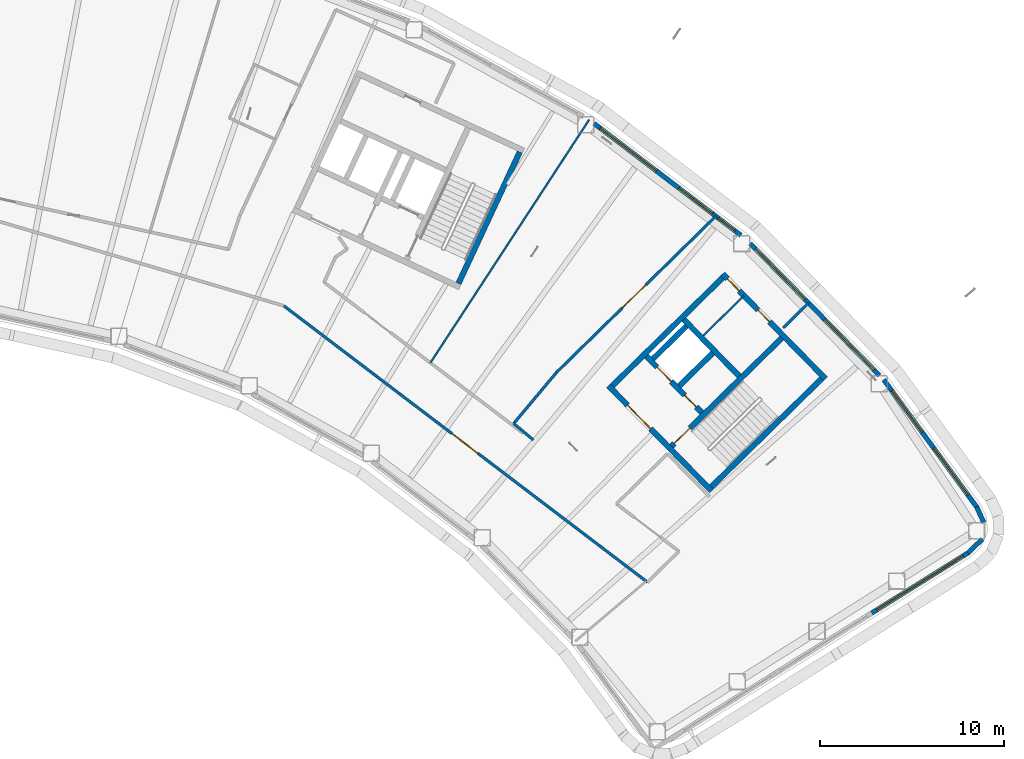
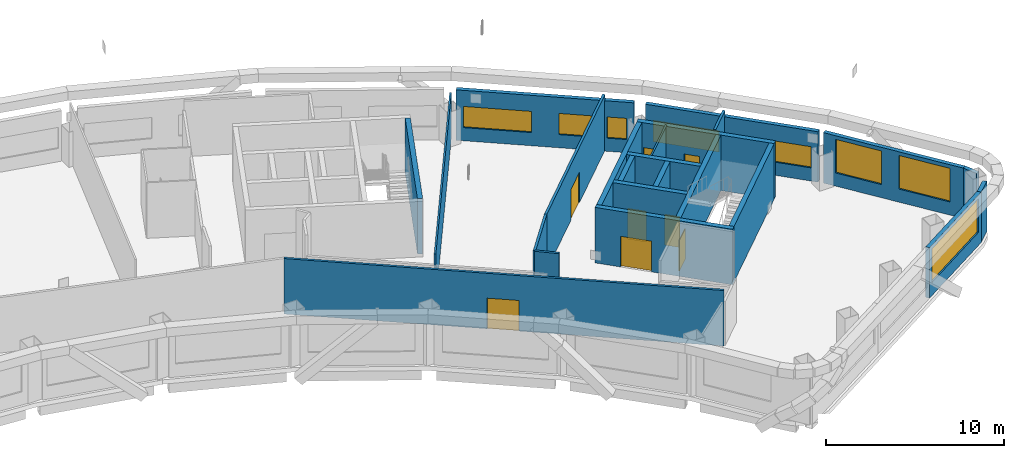
# One storey, part 9 of 20: 23 walls, 8 doors, 8 windows, 16 openings.
"""IFC4 building model written with IfcOpenShell, lengths in metres."""

from ifc_helpers import new_model, si_unit, direction, frame, frame_2d, origin, place, context, subcontext, project, spatial, rectangle, extrude, material, layer, layer_set, type_object, element, fill, save


model = new_model("IFC4")

# Units and contexts
model_context = context("Model", 3, precision=1e-05, world=origin(), true_north=direction((0.0, 1.0)))
body_context = subcontext(model_context, "Body", "Model", "MODEL_VIEW")
ifc_project = project(units=[si_unit("LENGTHUNIT", "METRE"), si_unit("AREAUNIT", "SQUARE_METRE"), si_unit("VOLUMEUNIT", "CUBIC_METRE"), si_unit("PLANEANGLEUNIT", "RADIAN"), si_unit("MASSUNIT", "GRAM", prefix="KILO")], contexts=[model_context])

# Site, building, storey
site_placement = place(None, origin())
site = spatial("IfcSite", under=ifc_project, at=site_placement, CompositionType="ELEMENT")
building_placement = place(site_placement, origin())
building = spatial("IfcBuilding", under=site, at=building_placement, Name="Tuul Gate Civic Tower", CompositionType="ELEMENT")
storey_placement = place(building_placement, frame((0.0, 0.0, 197.300048828125)))
storey = spatial("IfcBuildingStorey", under=building, at=storey_placement, Name="Level 45", CompositionType="ELEMENT", Elevation=197.300048828125)

# Wall, opening, door
ifc_material_1 = material(Name="Concrete C50/60", Category="concrete")
ifc_layer_1 = layer(ifc_material_1, 0.300048828125)
ifc_layer_set_1 = layer_set([ifc_layer_1], Name="Concrete C50/60")
wall_type_1 = type_object("IfcWallType", Name="Core wall C50/60", PredefinedType="SHEAR", material=ifc_layer_set_1)
wall_1_placement = place(storey_placement, frame((48.22509765625, -18.327880859375, 0.0), z_axis=(0.0, 0.0, 1.0), x_axis=(-0.700021979774, 0.714121297703, 0.0)))
wall_1 = element("IfcWall", 1, at=wall_1_placement, inside=storey, type_object=wall_type_1, Name="Core wall", PredefinedType="SHEAR", context=body_context, shape_type="SweptSolid", body=[
    extrude(rectangle(XDim=8.0, YDim=0.300048828125, at=frame_2d((4.0, 0.0))), origin(), (0.0, 0.0, 1.0), 3.800048828125),
])
opening_1_placement = place(wall_1_placement, frame((4.72509765625, 0.0, 0.0)))
opening_1 = element("IfcOpeningElement", 2, at=opening_1_placement, cuts=wall_1, Name="Opening LB-E1-LOBBY-1", PredefinedType="OPENING", context=body_context, shape_type="SweptSolid", body=[
    extrude(rectangle(XDim=1.800048828125, YDim=2.10009765625, at=frame_2d((0.89990234375, 1.050048828125))), frame((0.0, 0.16015625, 0.0), z_axis=(0.0, -1.0, 0.0), x_axis=(1.0, 0.0, 0.0)), (0.0, 0.0, 1.0), 0.320068359375),
])
ifc_material_2 = material(Name="Steel", Category="steel")
door_type_1 = type_object("IfcDoorType", Name="Lobby door", OperationType="DOUBLE_DOOR_SINGLE_SWING", PredefinedType="DOOR", material=ifc_material_2)
door_1_placement = place(opening_1_placement, frame((1.800048828125, 0.0, 0.0), z_axis=(0.0, 0.0, 1.0), x_axis=(-1.0, 0.0, 0.0)))
door_1 = element("IfcDoor", 3, at=door_1_placement, inside=storey, type_object=door_type_1, Name="Lobby door E1-LOBBY", OperationType="DOUBLE_DOOR_SINGLE_SWING", OverallHeight=2.10009765625, OverallWidth=1.800048828125, PredefinedType="DOOR", context=body_context, shape_type="SweptSolid", body=[
    extrude(rectangle(XDim=1.800048828125, YDim=2.10009765625, at=frame_2d((0.900146484375, 1.050048828125))), frame((0.0, 0.02490234375, 0.0), z_axis=(0.0, -1.0, 0.0), x_axis=(1.0, 0.0, 0.0)), (0.0, 0.0, 1.0), 0.050048828125),
])
fill(opening_1, door_1)

# Wall, openings, doors
wall_2_placement = place(storey_placement, frame((47.701904296875, -14.079833984375, 0.0), z_axis=(0.0, 0.0, 1.0), x_axis=(-0.700002721075, 0.714140175657, 0.0)))
wall_2 = element("IfcWall", 4, at=wall_2_placement, inside=storey, type_object=wall_type_1, Name="Core wall", PredefinedType="SHEAR", context=body_context, shape_type="SweptSolid", body=[
    extrude(rectangle(XDim=4.300048828125, YDim=0.300048828125, at=frame_2d((2.14990234375, 0.0))), origin(), (0.0, 0.0, 1.0), 3.800048828125),
])
opening_2_placement = place(wall_2_placement, frame((0.425048828125, 0.0, 0.0)))
opening_2 = element("IfcOpeningElement", 5, at=opening_2_placement, cuts=wall_2, Name="Opening FB-E1A1", PredefinedType="OPENING", context=body_context, shape_type="SweptSolid", body=[
    extrude(rectangle(XDim=0.89990234375, YDim=2.10009765625, at=frame_2d((0.449951171875, 1.050048828125))), frame((0.0, 0.16015625, 0.0), z_axis=(0.0, -1.0, 0.0), x_axis=(1.0, 0.0, 0.0)), (0.0, 0.0, 1.0), 0.320068359375),
])
opening_3_placement = place(wall_2_placement, frame((2.375, 0.0, 0.0)))
opening_3 = element("IfcOpeningElement", 6, at=opening_3_placement, cuts=wall_2, Name="Opening LD-M3", PredefinedType="OPENING", context=body_context, shape_type="SweptSolid", body=[
    extrude(rectangle(XDim=1.10009765625, YDim=2.10009765625, at=frame_2d((0.550048828125, 1.050048828125))), frame((0.0, 0.16015625, 0.0), z_axis=(0.0, -1.0, 0.0), x_axis=(1.0, 0.0, 0.0)), (0.0, 0.0, 1.0), 0.320068359375),
])
ifc_material_3 = material(Name="Stainless steel", Category="steel")
door_type_2 = type_object("IfcDoorType", Name="Landing door", OperationType="DOUBLE_DOOR_SLIDING", PredefinedType="DOOR", material=ifc_material_3)
door_2_placement = place(opening_3_placement, origin())
door_2 = element("IfcDoor", 7, at=door_2_placement, inside=storey, type_object=door_type_2, Name="Mid-rise lift M3 landing door", OperationType="DOUBLE_DOOR_SLIDING", OverallHeight=2.10009765625, OverallWidth=1.10009765625, PredefinedType="DOOR", context=body_context, shape_type="SweptSolid", body=[
    extrude(rectangle(XDim=1.10009765625, YDim=2.10009765625, at=frame_2d((0.550048828125, 1.050048828125))), frame((0.0, 0.02490234375, 0.0), z_axis=(0.0, -1.0, 0.0), x_axis=(1.0, 0.0, 0.0)), (0.0, 0.0, 1.0), 0.050048828125),
])
fill(opening_3, door_2)
ifc_material_4 = material(Name="Steel", Category="steel")
door_type_3 = type_object("IfcDoorType", Name="Store door", OperationType="NOTDEFINED", PredefinedType="DOOR", material=ifc_material_4)
door_3_placement = place(opening_2_placement, frame((0.89990234375, 0.0, 0.0), z_axis=(0.0, 0.0, 1.0), x_axis=(-1.0, 0.0, 0.0)))
door_3 = element("IfcDoor", 8, at=door_3_placement, inside=storey, type_object=door_type_3, Name="Store door E1A1", OperationType="SINGLE_SWING_RIGHT", OverallHeight=2.10009765625, OverallWidth=0.89990234375, PredefinedType="DOOR", context=body_context, shape_type="SweptSolid", body=[
    extrude(rectangle(XDim=0.89990234375, YDim=2.10009765625, at=frame_2d((0.449951171875, 1.050048828125))), frame((0.0, 0.02490234375, 0.0), z_axis=(0.0, -1.0, 0.0), x_axis=(1.0, 0.0, 0.0)), (0.0, 0.0, 1.0), 0.050048828125),
])
fill(opening_2, door_3)

# Wall
wall_3_placement = place(storey_placement, frame((49.737060546875, -12.0849609375, 0.0), z_axis=(0.0, 0.0, 1.0), x_axis=(-0.700002721075, 0.714140175657, 0.0)))
element("IfcWall", 9, at=wall_3_placement, inside=storey, type_object=wall_type_1, Name="Core wall", PredefinedType="SHEAR", context=body_context, shape_type="SweptSolid", body=[
    extrude(rectangle(XDim=4.300048828125, YDim=0.300048828125, at=frame_2d((2.14990234375, 0.0))), origin(), (0.0, 0.0, 1.0), 3.800048828125),
])

# Wall, openings, doors
wall_4_placement = place(storey_placement, frame((54.43798828125, -12.23779296875, 0.0), z_axis=(0.0, 0.0, 1.0), x_axis=(-0.700021979774, 0.714121297703, 0.0)))
wall_4 = element("IfcWall", 10, at=wall_4_placement, inside=storey, type_object=wall_type_1, Name="Core wall", PredefinedType="SHEAR", context=body_context, shape_type="SweptSolid", body=[
    extrude(rectangle(XDim=8.0, YDim=0.300048828125, at=frame_2d((4.0, 0.0))), origin(), (0.0, 0.0, 1.0), 3.800048828125),
])
opening_4_placement = place(wall_4_placement, frame((4.34375, 0.0, 0.0)))
opening_4 = element("IfcOpeningElement", 11, at=opening_4_placement, cuts=wall_4, Name="Opening P-D14", PredefinedType="OPENING", context=body_context, shape_type="SweptSolid", body=[
    extrude(rectangle(XDim=0.89990234375, YDim=2.10009765625, at=frame_2d((0.449951171875, 1.050048828125))), frame((0.0, 0.16015625, 0.0), z_axis=(0.0, -1.0, 0.0), x_axis=(1.0, 0.0, 0.0)), (0.0, 0.0, 1.0), 0.320068359375),
])
opening_5_placement = place(wall_4_placement, frame((6.71875, 0.0, 0.0)))
opening_5 = element("IfcOpeningElement", 12, at=opening_5_placement, cuts=wall_4, Name="Opening P-D15", PredefinedType="OPENING", context=body_context, shape_type="SweptSolid", body=[
    extrude(rectangle(XDim=0.89990234375, YDim=2.10009765625, at=frame_2d((0.449951171875, 1.050048828125))), frame((0.0, 0.16015625, 0.0), z_axis=(0.0, -1.0, 0.0), x_axis=(1.0, 0.0, 0.0)), (0.0, 0.0, 1.0), 0.320068359375),
])
ifc_material_5 = material(Name="Timber door leaf", Category="wood")
door_type_4 = type_object("IfcDoorType", Name="Door D09", OperationType="NOTDEFINED", PredefinedType="DOOR", material=ifc_material_5)
door_4_placement = place(opening_4_placement, origin())
door_4 = element("IfcDoor", 13, at=door_4_placement, inside=storey, type_object=door_type_4, Name="Door P-D14", OperationType="SINGLE_SWING_LEFT", OverallHeight=2.10009765625, OverallWidth=0.89990234375, PredefinedType="DOOR", context=body_context, shape_type="SweptSolid", body=[
    extrude(rectangle(XDim=0.89990234375, YDim=2.10009765625, at=frame_2d((0.449951171875, 1.050048828125))), frame((0.0, 0.02490234375, 0.0), z_axis=(0.0, -1.0, 0.0), x_axis=(1.0, 0.0, 0.0)), (0.0, 0.0, 1.0), 0.050048828125),
])
fill(opening_4, door_4)
door_5_placement = place(opening_5_placement, origin())
door_5 = element("IfcDoor", 14, at=door_5_placement, inside=storey, type_object=door_type_4, Name="Door P-D15", OperationType="SINGLE_SWING_LEFT", OverallHeight=2.10009765625, OverallWidth=0.89990234375, PredefinedType="DOOR", context=body_context, shape_type="SweptSolid", body=[
    extrude(rectangle(XDim=0.89990234375, YDim=2.10009765625, at=frame_2d((0.449951171875, 1.050048828125))), frame((0.0, 0.02490234375, 0.0), z_axis=(0.0, -1.0, 0.0), x_axis=(1.0, 0.0, 0.0)), (0.0, 0.0, 1.0), 0.050048828125),
])
fill(opening_5, door_5)

# Wall
wall_5_placement = place(storey_placement, frame((48.227294921875, -18.115966796875, 0.0), z_axis=(0.0, 0.0, 1.0), x_axis=(0.714105315431, 0.700038283577, 0.0)))
element("IfcWall", 15, at=wall_5_placement, inside=storey, type_object=wall_type_1, Name="Core wall", PredefinedType="SHEAR", context=body_context, shape_type="SweptSolid", body=[
    extrude(rectangle(XDim=8.400146484375, YDim=0.300048828125, at=frame_2d((4.2001953125, 0.0))), origin(), (0.0, 0.0, 1.0), 3.800048828125),
])

# Wall, opening, door
wall_6_placement = place(storey_placement, frame((46.05712890625, -15.902099609375, 0.0), z_axis=(0.0, 0.0, 1.0), x_axis=(0.714134086973, 0.700008932674, 0.0)))
wall_6 = element("IfcWall", 16, at=wall_6_placement, inside=storey, type_object=wall_type_1, Name="Core wall", PredefinedType="SHEAR", context=body_context, shape_type="SweptSolid", body=[
    extrude(rectangle(XDim=8.400146484375, YDim=0.300048828125, at=frame_2d((4.2001953125, 0.0))), origin(), (0.0, 0.0, 1.0), 3.800048828125),
])
opening_6_placement = place(wall_6_placement, frame((0.199951171875, 0.0, 0.0)))
opening_6 = element("IfcOpeningElement", 17, at=opening_6_placement, cuts=wall_6, Name="Opening SD-ST-3", PredefinedType="OPENING", context=body_context, shape_type="SweptSolid", body=[
    extrude(rectangle(XDim=1.199951171875, YDim=2.10009765625, at=frame_2d((0.60009765625, 1.050048828125))), frame((0.0, 0.16015625, 0.0), z_axis=(0.0, -1.0, 0.0), x_axis=(1.0, 0.0, 0.0)), (0.0, 0.0, 1.0), 0.320068359375),
])
ifc_material_6 = material(Name="Steel", Category="steel")
door_type_5 = type_object("IfcDoorType", Name="Stair door", OperationType="NOTDEFINED", PredefinedType="DOOR", material=ifc_material_6)
door_6_placement = place(opening_6_placement, origin())
door_6 = element("IfcDoor", 18, at=door_6_placement, inside=storey, type_object=door_type_5, Name="Stair door ST-3", OperationType="SINGLE_SWING_LEFT", OverallHeight=2.10009765625, OverallWidth=1.199951171875, PredefinedType="DOOR", context=body_context, shape_type="SweptSolid", body=[
    extrude(rectangle(XDim=1.199951171875, YDim=2.10009765625, at=frame_2d((0.60009765625, 1.050048828125))), frame((0.0, 0.02490234375, 0.0), z_axis=(0.0, -1.0, 0.0), x_axis=(1.0, 0.0, 0.0)), (0.0, 0.0, 1.0), 0.050048828125),
])
fill(opening_6, door_6)

# Walls
wall_7_placement = place(storey_placement, frame((46.47900390625, -12.617919921875, 0.0), z_axis=(0.0, 0.0, 1.0), x_axis=(0.71410944159, 0.700034074479, 0.0)))
element("IfcWall", 19, at=wall_7_placement, inside=storey, type_object=wall_type_1, Name="Core wall", PredefinedType="SHEAR", context=body_context, shape_type="SweptSolid", body=[
    extrude(rectangle(XDim=2.5498046875, YDim=0.300048828125, at=frame_2d((1.27490234375, 0.0))), origin(), (0.0, 0.0, 1.0), 3.800048828125),
])
wall_8_placement = place(storey_placement, frame((45.0439453125, -11.154052734375, 0.0), z_axis=(0.0, 0.0, 1.0), x_axis=(0.714108498262, 0.700035036773, 0.0)))
element("IfcWall", 20, at=wall_8_placement, inside=storey, type_object=wall_type_1, Name="Core wall", PredefinedType="SHEAR", context=body_context, shape_type="SweptSolid", body=[
    extrude(rectangle(XDim=2.550048828125, YDim=0.300048828125, at=frame_2d((1.27490234375, 0.0))), origin(), (0.0, 0.0, 1.0), 3.800048828125),
])
wall_9_placement = place(storey_placement, frame((42.837158203125, -12.616943359375, 0.0), z_axis=(0.0, 0.0, 1.0), x_axis=(0.714119844755, 0.700023461983, 0.0)))
element("IfcWall", 21, at=wall_9_placement, inside=storey, type_object=wall_type_1, Name="Core wall", PredefinedType="SHEAR", context=body_context, shape_type="SweptSolid", body=[
    extrude(rectangle(XDim=8.39990234375, YDim=0.300048828125, at=frame_2d((4.199951171875, 0.0))), origin(), (0.0, 0.0, 1.0), 3.800048828125),
])
wall_10_placement = place(storey_placement, frame((34.455810546875, -7.05078125, 0.0), z_axis=(0.0, 0.0, 1.0), x_axis=(0.422570768258, 0.906329932096, 0.0)))
element("IfcWall", 22, at=wall_10_placement, inside=storey, type_object=wall_type_1, Name="Core wall", PredefinedType="SHEAR", context=body_context, shape_type="SweptSolid", body=[
    extrude(rectangle(XDim=7.900146484375, YDim=0.300048828125, at=frame_2d((3.9501953125, 0.0))), origin(), (0.0, 0.0, 1.0), 3.800048828125),
])
ifc_material_7 = material(Name="Gypsum board partition")
ifc_layer_2 = layer(ifc_material_7, 0.14990234375)
ifc_layer_set_2 = layer_set([ifc_layer_2], Name="Gypsum board partition")
wall_type_2 = type_object("IfcWallType", Name="Corridor wall P150", PredefinedType="PARTITIONING", material=ifc_layer_set_2)
wall_11_placement = place(storey_placement, frame((52.13623046875, -9.461181640625, 0.0), z_axis=(0.0, 0.0, 1.0), x_axis=(0.714201482799, 0.699940170278, 0.0)))
element("IfcWall", 23, at=wall_11_placement, inside=storey, type_object=wall_type_2, Name="p007", PredefinedType="PARTITIONING", context=body_context, shape_type="SweptSolid", body=[
    extrude(rectangle(XDim=1.9345703125, YDim=0.14990234375, at=frame_2d((0.96728515625, 0.0))), origin(), (0.0, 0.0, 1.0), 3.800048828125),
])

# Wall, opening, door
wall_12_placement = place(storey_placement, frame((24.951904296875, -8.265869140625, 0.0), z_axis=(0.0, 0.0, 1.0), x_axis=(0.796172221876, -0.605070072895, 0.0)))
wall_12 = element("IfcWall", 24, at=wall_12_placement, inside=storey, type_object=wall_type_2, Name="p008", PredefinedType="PARTITIONING", context=body_context, shape_type="SweptSolid", body=[
    extrude(rectangle(XDim=24.86474609375, YDim=0.14990234375, at=frame_2d((12.432373046875, 0.0))), origin(), (0.0, 0.0, 1.0), 3.800048828125),
])
opening_7_placement = place(wall_12_placement, frame((11.48583984375, 0.0, 0.0)))
opening_7 = element("IfcOpeningElement", 25, at=opening_7_placement, cuts=wall_12, Name="Opening P-D03", PredefinedType="OPENING", context=body_context, shape_type="SweptSolid", body=[
    extrude(rectangle(XDim=1.800048828125, YDim=2.10009765625, at=frame_2d((0.89990234375, 1.050048828125))), frame((0.0, 0.0849609375, 0.0), z_axis=(0.0, -1.0, 0.0), x_axis=(1.0, 0.0, 0.0)), (0.0, 0.0, 1.0), 0.169921875),
])
ifc_material_8 = material(Name="Timber door leaf, double", Category="wood")
door_type_6 = type_object("IfcDoorType", Name="Door D18", OperationType="DOUBLE_DOOR_SINGLE_SWING", PredefinedType="DOOR", material=ifc_material_8)
door_7_placement = place(opening_7_placement, frame((1.800048828125, 0.0, 0.0), z_axis=(0.0, 0.0, 1.0), x_axis=(-1.0, 0.0, 0.0)))
door_7 = element("IfcDoor", 26, at=door_7_placement, inside=storey, type_object=door_type_6, Name="Door P-D03", OperationType="DOUBLE_DOOR_SINGLE_SWING", OverallHeight=2.10009765625, OverallWidth=1.800048828125, PredefinedType="DOOR", context=body_context, shape_type="SweptSolid", body=[
    extrude(rectangle(XDim=1.800048828125, YDim=2.10009765625, at=frame_2d((0.900146484375, 1.050048828125))), frame((0.0, 0.02490234375, 0.0), z_axis=(0.0, -1.0, 0.0), x_axis=(1.0, 0.0, 0.0)), (0.0, 0.0, 1.0), 0.050048828125),
])
fill(opening_7, door_7)

wall_13_placement = place(storey_placement, frame((39.7978515625, -11.885498046875, 0.0), z_axis=(0.0, 0.0, 1.0), x_axis=(0.714136472244, 0.700006499264, 0.0)))
wall_13 = element("IfcWall", 27, at=wall_13_placement, inside=storey, type_object=wall_type_2, Name="p016", PredefinedType="PARTITIONING", context=body_context, shape_type="SweptSolid", body=[
    extrude(rectangle(XDim=12.146484375, YDim=0.14990234375, at=frame_2d((6.0732421875, 0.0))), origin(), (0.0, 0.0, 1.0), 3.800048828125),
])
opening_8_placement = place(wall_13_placement, frame((5.00634765625, 0.0, 0.0)))
opening_8 = element("IfcOpeningElement", 28, at=opening_8_placement, cuts=wall_13, Name="Opening P-D04", PredefinedType="OPENING", context=body_context, shape_type="SweptSolid", body=[
    extrude(rectangle(XDim=1.800048828125, YDim=2.10009765625, at=frame_2d((0.89990234375, 1.050048828125))), frame((0.0, 0.0849609375, 0.0), z_axis=(0.0, -1.0, 0.0), x_axis=(1.0, 0.0, 0.0)), (0.0, 0.0, 1.0), 0.169921875),
])
door_8_placement = place(opening_8_placement, origin())
door_8 = element("IfcDoor", 29, at=door_8_placement, inside=storey, type_object=door_type_6, Name="Door P-D04", OperationType="DOUBLE_DOOR_SINGLE_SWING", OverallHeight=2.10009765625, OverallWidth=1.800048828125, PredefinedType="DOOR", context=body_context, shape_type="SweptSolid", body=[
    extrude(rectangle(XDim=1.800048828125, YDim=2.10009765625, at=frame_2d((0.89990234375, 1.050048828125))), frame((0.0, 0.02490234375, 0.0), z_axis=(0.0, -1.0, 0.0), x_axis=(1.0, 0.0, 0.0)), (0.0, 0.0, 1.0), 0.050048828125),
])
fill(opening_8, door_8)

# Walls
wall_14_placement = place(storey_placement, frame((37.46484375, -14.670166015625, 0.0), z_axis=(0.0, 0.0, 1.0), x_axis=(0.642225199849, 0.766516009408, 0.0)))
element("IfcWall", 30, at=wall_14_placement, inside=storey, type_object=wall_type_2, Name="p017", PredefinedType="PARTITIONING", context=body_context, shape_type="SweptSolid", body=[
    extrude(rectangle(XDim=3.6318359375, YDim=0.14990234375, at=frame_2d((1.81591796875, 0.0))), origin(), (0.0, 0.0, 1.0), 3.800048828125),
])
wall_15_placement = place(storey_placement, frame((37.465087890625, -14.6708984375, 0.0), z_axis=(0.0, 0.0, 1.0), x_axis=(0.76648323599, -0.642264313928, 0.0)))
element("IfcWall", 31, at=wall_15_placement, inside=storey, type_object=wall_type_2, Name="p018", PredefinedType="PARTITIONING", context=body_context, shape_type="SweptSolid", body=[
    extrude(rectangle(XDim=1.3955078125, YDim=0.14990234375, at=frame_2d((0.69775390625, 0.0))), origin(), (0.0, 0.0, 1.0), 3.800048828125),
])
ifc_material_9 = material(Name="Precast concrete C40/50", Category="concrete")
ifc_layer_3 = layer(ifc_material_9, 0.25)
ifc_layer_set_3 = layer_set([ifc_layer_3], Name="Precast concrete C40/50")
wall_type_3 = type_object("IfcWallType", Name="External wall", PredefinedType="STANDARD", material=ifc_layer_set_3)
wall_16_placement = place(storey_placement, frame((62.180419921875, -21.725830078125, 0.0), z_axis=(0.0, 0.0, 1.0), x_axis=(0.722107994372, 0.691780344087, 0.0)))
element("IfcWall", 32, at=wall_16_placement, inside=storey, type_object=wall_type_3, Name="External wall", PredefinedType="STANDARD", context=body_context, shape_type="SweptSolid", body=[
    extrude(rectangle(XDim=1.102783203125, YDim=0.25, at=frame_2d((0.55126953125, 0.0))), origin(), (0.0, 0.0, 1.0), 3.449951171875),
])
wall_17_placement = place(storey_placement, frame((63.0546875, -20.06298828125, 0.0), z_axis=(0.0, 0.0, 1.0), x_axis=(-0.413528765966, 0.910491054167, 0.0)))
element("IfcWall", 33, at=wall_17_placement, inside=storey, type_object=wall_type_3, Name="External wall", PredefinedType="STANDARD", context=body_context, shape_type="SweptSolid", body=[
    extrude(rectangle(XDim=0.939208984375, YDim=0.25, at=frame_2d((0.4697265625, 0.0))), origin(), (0.0, 0.0, 1.0), 3.449951171875),
])

# Wall, openings, windows
wall_18_placement = place(storey_placement, frame((62.678955078125, -19.229736328125, 0.0), z_axis=(0.0, 0.0, 1.0), x_axis=(-0.589753911598, 0.807583013538, 0.0)))
wall_18 = element("IfcWall", 34, at=wall_18_placement, inside=storey, type_object=wall_type_3, Name="External wall", PredefinedType="STANDARD", context=body_context, shape_type="SweptSolid", body=[
    extrude(rectangle(XDim=8.599853515625, YDim=0.25, at=frame_2d((4.2998046875, 0.0))), origin(), (0.0, 0.0, 1.0), 3.449951171875),
])
opening_9_placement = place(wall_18_placement, frame((0.830078125, 0.0, 0.89990234375)))
opening_9 = element("IfcOpeningElement", 35, at=opening_9_placement, cuts=wall_18, Name="Opening W118", PredefinedType="OPENING", context=body_context, shape_type="SweptSolid", body=[
    extrude(rectangle(XDim=3.14990234375, YDim=2.300048828125, at=frame_2d((1.574951171875, 1.14990234375))), frame((0.0, 0.135009765625, 0.0), z_axis=(0.0, -1.0, 0.0), x_axis=(1.0, 0.0, 0.0)), (0.0, 0.0, 1.0), 0.27001953125),
])
opening_10_placement = place(wall_18_placement, frame((5.052734375, 0.0, 0.89990234375)))
opening_10 = element("IfcOpeningElement", 36, at=opening_10_placement, cuts=wall_18, Name="Opening W23", PredefinedType="OPENING", context=body_context, shape_type="SweptSolid", body=[
    extrude(rectangle(XDim=2.800048828125, YDim=2.300048828125, at=frame_2d((1.39990234375, 1.14990234375))), frame((0.0, 0.135009765625, 0.0), z_axis=(0.0, -1.0, 0.0), x_axis=(1.0, 0.0, 0.0)), (0.0, 0.0, 1.0), 0.27001953125),
])
ifc_material_10 = material(Name="Glass", Category="glass")
window_type_1 = type_object("IfcWindowType", Name="Window W118 3150 x 2300", PartitioningType="SINGLE_PANEL", PredefinedType="WINDOW", material=ifc_material_10)
window_1_placement = place(opening_9_placement, origin())
window_1 = element("IfcWindow", 37, at=window_1_placement, inside=storey, type_object=window_type_1, Name="Window", OverallHeight=2.300048828125, OverallWidth=3.14990234375, PartitioningType="SINGLE_PANEL", PredefinedType="WINDOW", context=body_context, shape_type="SweptSolid", body=[
    extrude(rectangle(XDim=3.14990234375, YDim=2.300048828125, at=frame_2d((1.574951171875, 1.14990234375))), frame((0.0, 0.030029296875, 0.0), z_axis=(0.0, -1.0, 0.0), x_axis=(1.0, 0.0, 0.0)), (0.0, 0.0, 1.0), 0.06005859375),
])
fill(opening_9, window_1)
ifc_material_11 = material(Name="Glass", Category="glass")
window_type_2 = type_object("IfcWindowType", Name="Window W23 2800 x 2300", PartitioningType="SINGLE_PANEL", PredefinedType="WINDOW", material=ifc_material_11)
window_2_placement = place(opening_10_placement, origin())
window_2 = element("IfcWindow", 38, at=window_2_placement, inside=storey, type_object=window_type_2, Name="Window", OverallHeight=2.300048828125, OverallWidth=2.800048828125, PartitioningType="SINGLE_PANEL", PredefinedType="WINDOW", context=body_context, shape_type="SweptSolid", body=[
    extrude(rectangle(XDim=2.800048828125, YDim=2.300048828125, at=frame_2d((1.39990234375, 1.14990234375))), frame((0.0, 0.030029296875, 0.0), z_axis=(0.0, -1.0, 0.0), x_axis=(1.0, 0.0, 0.0)), (0.0, 0.0, 1.0), 0.06005859375),
])
fill(opening_10, window_2)

wall_19_placement = place(storey_placement, frame((57.3759765625, -12.050048828125, 0.0), z_axis=(0.0, 0.0, 1.0), x_axis=(-0.700042765506, 0.714100921763, 0.0)))
wall_19 = element("IfcWall", 39, at=wall_19_placement, inside=storey, type_object=wall_type_3, Name="External wall", PredefinedType="STANDARD", context=body_context, shape_type="SweptSolid", body=[
    extrude(rectangle(XDim=10.05517578125, YDim=0.25, at=frame_2d((5.027587890625, 0.0))), origin(), (0.0, 0.0, 1.0), 3.449951171875),
])
opening_11_placement = place(wall_19_placement, frame((0.4169921875, 0.0, 0.89990234375)))
opening_11 = element("IfcOpeningElement", 40, at=opening_11_placement, cuts=wall_19, Name="Opening W103", PredefinedType="OPENING", context=body_context, shape_type="SweptSolid", body=[
    extrude(rectangle(XDim=3.85009765625, YDim=1.449951171875, at=frame_2d((1.925048828125, 0.72509765625))), frame((0.0, 0.135009765625, 0.0), z_axis=(0.0, -1.0, 0.0), x_axis=(1.0, 0.0, 0.0)), (0.0, 0.0, 1.0), 0.27001953125),
])
opening_12_placement = place(wall_19_placement, frame((5.7880859375, 0.0, 0.89990234375)))
opening_12 = element("IfcOpeningElement", 41, at=opening_12_placement, cuts=wall_19, Name="Opening W103", PredefinedType="OPENING", context=body_context, shape_type="SweptSolid", body=[
    extrude(rectangle(XDim=3.85009765625, YDim=1.449951171875, at=frame_2d((1.925048828125, 0.72509765625))), frame((0.0, 0.135009765625, 0.0), z_axis=(0.0, -1.0, 0.0), x_axis=(1.0, 0.0, 0.0)), (0.0, 0.0, 1.0), 0.27001953125),
])
ifc_material_12 = material(Name="Glass", Category="glass")
window_type_3 = type_object("IfcWindowType", Name="Window W103 3850 x 1450", PartitioningType="SINGLE_PANEL", PredefinedType="WINDOW", material=ifc_material_12)
window_3_placement = place(opening_11_placement, origin())
window_3 = element("IfcWindow", 42, at=window_3_placement, inside=storey, type_object=window_type_3, Name="Window", OverallHeight=1.449951171875, OverallWidth=3.85009765625, PartitioningType="SINGLE_PANEL", PredefinedType="WINDOW", context=body_context, shape_type="SweptSolid", body=[
    extrude(rectangle(XDim=3.85009765625, YDim=1.449951171875, at=frame_2d((1.925048828125, 0.72509765625))), frame((0.0, 0.030029296875, 0.0), z_axis=(0.0, -1.0, 0.0), x_axis=(1.0, 0.0, 0.0)), (0.0, 0.0, 1.0), 0.06005859375),
])
fill(opening_11, window_3)
window_4_placement = place(opening_12_placement, origin())
window_4 = element("IfcWindow", 43, at=window_4_placement, inside=storey, type_object=window_type_3, Name="Window", OverallHeight=1.449951171875, OverallWidth=3.85009765625, PartitioningType="SINGLE_PANEL", PredefinedType="WINDOW", context=body_context, shape_type="SweptSolid", body=[
    extrude(rectangle(XDim=3.85009765625, YDim=1.449951171875, at=frame_2d((1.925048828125, 0.72509765625))), frame((0.0, 0.030029296875, 0.0), z_axis=(0.0, -1.0, 0.0), x_axis=(1.0, 0.0, 0.0)), (0.0, 0.0, 1.0), 0.06005859375),
])
fill(opening_12, window_4)

wall_20_placement = place(storey_placement, frame((49.83251953125, -4.425048828125, 0.0), z_axis=(0.0, 0.0, 1.0), x_axis=(-0.795600211162, 0.605822006862, 0.0)))
wall_20 = element("IfcWall", 44, at=wall_20_placement, inside=storey, type_object=wall_type_3, Name="External wall", PredefinedType="STANDARD", context=body_context, shape_type="SweptSolid", body=[
    extrude(rectangle(XDim=10.043212890625, YDim=0.25, at=frame_2d((5.021484375, 0.0))), origin(), (0.0, 0.0, 1.0), 3.449951171875),
])
opening_13_placement = place(wall_20_placement, frame((5.782958984375, 0.0, 0.89990234375)))
opening_13 = element("IfcOpeningElement", 45, at=opening_13_placement, cuts=wall_20, Name="Opening W103", PredefinedType="OPENING", context=body_context, shape_type="SweptSolid", body=[
    extrude(rectangle(XDim=3.85009765625, YDim=1.449951171875, at=frame_2d((1.925048828125, 0.72509765625))), frame((0.0, 0.135009765625, 0.0), z_axis=(0.0, -1.0, 0.0), x_axis=(1.0, 0.0, 0.0)), (0.0, 0.0, 1.0), 0.27001953125),
])
opening_14_placement = place(wall_20_placement, frame((0.4130859375, 0.0, 0.89990234375)))
opening_14 = element("IfcOpeningElement", 46, at=opening_14_placement, cuts=wall_20, Name="Opening W121", PredefinedType="OPENING", context=body_context, shape_type="SweptSolid", body=[
    extrude(rectangle(XDim=1.10009765625, YDim=1.449951171875, at=frame_2d((0.550048828125, 0.72509765625))), frame((0.0, 0.135009765625, 0.0), z_axis=(0.0, -1.0, 0.0), x_axis=(1.0, 0.0, 0.0)), (0.0, 0.0, 1.0), 0.27001953125),
])
opening_15_placement = place(wall_20_placement, frame((1.93798828125, 0.0, 0.89990234375)))
opening_15 = element("IfcOpeningElement", 47, at=opening_15_placement, cuts=wall_20, Name="Opening W122", PredefinedType="OPENING", context=body_context, shape_type="SweptSolid", body=[
    extrude(rectangle(XDim=2.300048828125, YDim=1.449951171875, at=frame_2d((1.14990234375, 0.72509765625))), frame((0.0, 0.135009765625, 0.0), z_axis=(0.0, -1.0, 0.0), x_axis=(1.0, 0.0, 0.0)), (0.0, 0.0, 1.0), 0.27001953125),
])
window_5_placement = place(opening_13_placement, origin())
window_5 = element("IfcWindow", 48, at=window_5_placement, inside=storey, type_object=window_type_3, Name="Window", OverallHeight=1.449951171875, OverallWidth=3.85009765625, PartitioningType="SINGLE_PANEL", PredefinedType="WINDOW", context=body_context, shape_type="SweptSolid", body=[
    extrude(rectangle(XDim=3.85009765625, YDim=1.449951171875, at=frame_2d((1.925048828125, 0.72509765625))), frame((0.0, 0.030029296875, 0.0), z_axis=(0.0, -1.0, 0.0), x_axis=(1.0, 0.0, 0.0)), (0.0, 0.0, 1.0), 0.06005859375),
])
fill(opening_13, window_5)
ifc_material_13 = material(Name="Glass", Category="glass")
window_type_4 = type_object("IfcWindowType", Name="Window W121 1100 x 1450", PartitioningType="SINGLE_PANEL", PredefinedType="WINDOW", material=ifc_material_13)
window_6_placement = place(opening_14_placement, origin())
window_6 = element("IfcWindow", 49, at=window_6_placement, inside=storey, type_object=window_type_4, Name="Window", OverallHeight=1.449951171875, OverallWidth=1.10009765625, PartitioningType="SINGLE_PANEL", PredefinedType="WINDOW", context=body_context, shape_type="SweptSolid", body=[
    extrude(rectangle(XDim=1.10009765625, YDim=1.449951171875, at=frame_2d((0.550048828125, 0.72509765625))), frame((0.0, 0.030029296875, 0.0), z_axis=(0.0, -1.0, 0.0), x_axis=(1.0, 0.0, 0.0)), (0.0, 0.0, 1.0), 0.06005859375),
])
fill(opening_14, window_6)
ifc_material_14 = material(Name="Glass", Category="glass")
window_type_5 = type_object("IfcWindowType", Name="Window W122 2300 x 1450", PartitioningType="SINGLE_PANEL", PredefinedType="WINDOW", material=ifc_material_14)
window_7_placement = place(opening_15_placement, origin())
window_7 = element("IfcWindow", 50, at=window_7_placement, inside=storey, type_object=window_type_5, Name="Window", OverallHeight=1.449951171875, OverallWidth=2.300048828125, PartitioningType="SINGLE_PANEL", PredefinedType="WINDOW", context=body_context, shape_type="SweptSolid", body=[
    extrude(rectangle(XDim=2.300048828125, YDim=1.449951171875, at=frame_2d((1.14990234375, 0.72509765625))), frame((0.0, 0.030029296875, 0.0), z_axis=(0.0, -1.0, 0.0), x_axis=(1.0, 0.0, 0.0)), (0.0, 0.0, 1.0), 0.06005859375),
])
fill(opening_15, window_7)

# Wall, opening, window
wall_21_placement = place(storey_placement, frame((56.95751953125, -24.986328125, 0.0), z_axis=(0.0, 0.0, 1.0), x_axis=(0.848042669488, 0.529927948619, 0.0)))
wall_21 = element("IfcWall", 51, at=wall_21_placement, inside=storey, type_object=wall_type_3, Name="External wall", PredefinedType="STANDARD", context=body_context, shape_type="SweptSolid", body=[
    extrude(rectangle(XDim=6.1826171875, YDim=0.25, at=frame_2d((3.09130859375, 0.0))), origin(), (0.0, 0.0, 1.0), 3.449951171875),
])
opening_16_placement = place(wall_21_placement, frame((0.31640625, 0.0, 0.89990234375)))
opening_16 = element("IfcOpeningElement", 52, at=opening_16_placement, cuts=wall_21, Name="Opening W24", PredefinedType="OPENING", context=body_context, shape_type="SweptSolid", body=[
    extrude(rectangle(XDim=5.550048828125, YDim=2.300048828125, at=frame_2d((2.77490234375, 1.14990234375))), frame((0.0, 0.135009765625, 0.0), z_axis=(0.0, -1.0, 0.0), x_axis=(1.0, 0.0, 0.0)), (0.0, 0.0, 1.0), 0.27001953125),
])
ifc_material_15 = material(Name="Glass", Category="glass")
window_type_6 = type_object("IfcWindowType", Name="Window W24 5550 x 2300", PartitioningType="SINGLE_PANEL", PredefinedType="WINDOW", material=ifc_material_15)
window_8_placement = place(opening_16_placement, origin())
window_8 = element("IfcWindow", 53, at=window_8_placement, inside=storey, type_object=window_type_6, Name="Window", OverallHeight=2.300048828125, OverallWidth=5.550048828125, PartitioningType="SINGLE_PANEL", PredefinedType="WINDOW", context=body_context, shape_type="SweptSolid", body=[
    extrude(rectangle(XDim=5.550048828125, YDim=2.300048828125, at=frame_2d((2.77490234375, 1.14990234375))), frame((0.0, 0.030029296875, 0.0), z_axis=(0.0, -1.0, 0.0), x_axis=(1.0, 0.0, 0.0)), (0.0, 0.0, 1.0), 0.06005859375),
])
fill(opening_16, window_8)

# Walls
ifc_material_16 = material(Name="Gypsum board partition")
ifc_layer_4 = layer(ifc_material_16, 0.10009765625)
ifc_layer_set_4 = layer_set([ifc_layer_4], Name="Gypsum board partition")
wall_type_4 = type_object("IfcWallType", Name="Partition P100", PredefinedType="PARTITIONING", material=ifc_layer_set_4)
wall_22_placement = place(storey_placement, frame((47.787841796875, -9.882080078125, 0.0), z_axis=(0.0, 0.0, 1.0), x_axis=(0.714119924869, 0.700023380256, 0.0)))
element("IfcWall", 54, at=wall_22_placement, inside=storey, type_object=wall_type_4, Name="bE1-BAND-0", PredefinedType="PARTITIONING", context=body_context, shape_type="SweptSolid", body=[
    extrude(rectangle(XDim=3.10009765625, YDim=0.10009765625, at=frame_2d((1.550048828125, 0.0))), origin(), (0.0, 0.0, 1.0), 3.800048828125),
])
ifc_material_17 = material(Name="Gypsum board partition")
ifc_layer_5 = layer(ifc_material_17, 0.10009765625)
ifc_layer_set_5 = layer_set([ifc_layer_5], Name="Gypsum board partition")
wall_type_5 = type_object("IfcWallType", Name="Partition P100 3150 HIGH", PredefinedType="PARTITIONING", material=ifc_layer_set_5)
wall_23_placement = place(storey_placement, frame((32.929931640625, -11.366943359375, 0.0), z_axis=(0.0, 0.0, 1.0), x_axis=(0.546731234969, 0.837308161139, 0.0)))
element("IfcWall", 55, at=wall_23_placement, inside=storey, type_object=wall_type_5, Name="p019", PredefinedType="PARTITIONING", context=body_context, shape_type="SweptSolid", body=[
    extrude(rectangle(XDim=15.80908203125, YDim=0.10009765625, at=frame_2d((7.904541015625, 0.0))), origin(), (0.0, 0.0, 1.0), 3.14990234375),
])

save(model, "model.ifc")
